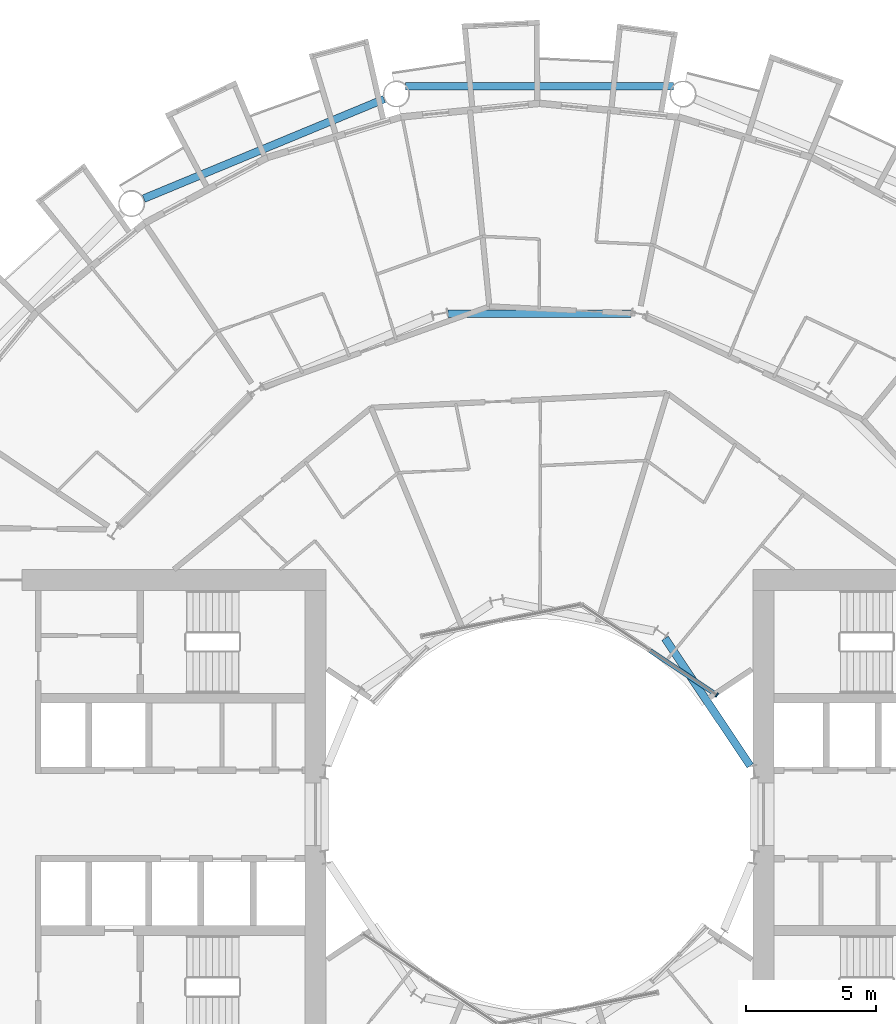
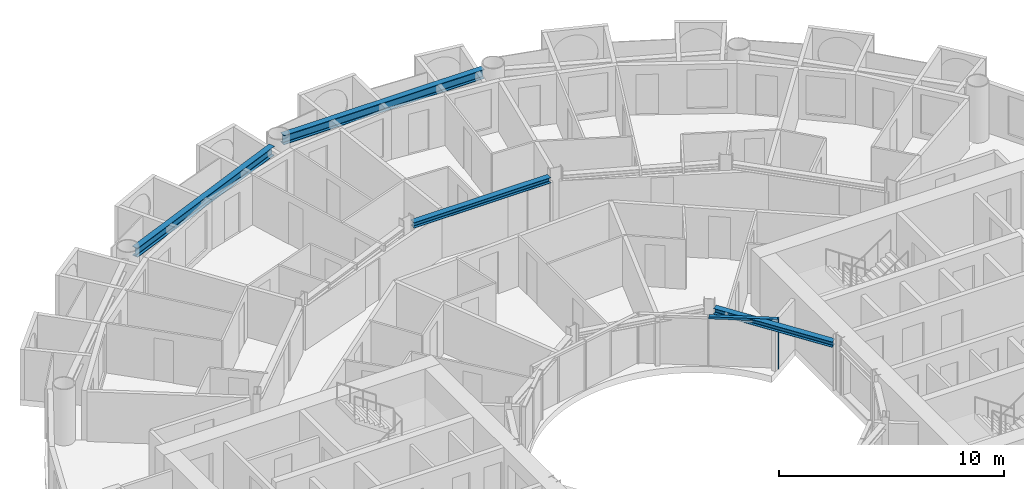
# One storey, part 8 of 25: 4 beams, 2 members, 1 element without a shape of its own.
"""IFC4 building model written with IfcOpenShell, lengths in metres."""

from ifc_helpers import new_model, si_unit, direction, frame, origin, origin_2d, place, context, subcontext, project, spatial, rectangle, i_section, extrude, material, layer, layer_set, material_profile, profile_set, type_object, element, aggregate, save


model = new_model("IFC4")

# Units and contexts
model_context = context("Model", 3, precision=1e-05, world=origin(), true_north=direction((0.0, 1.0)))
body_context = subcontext(model_context, "Body", "Model", "MODEL_VIEW")
ifc_project = project(units=[si_unit("LENGTHUNIT", "METRE"), si_unit("AREAUNIT", "SQUARE_METRE"), si_unit("VOLUMEUNIT", "CUBIC_METRE"), si_unit("PLANEANGLEUNIT", "RADIAN"), si_unit("MASSUNIT", "GRAM", prefix="KILO")], contexts=[model_context])

# Site, building, storey
site_placement = place(None, origin())
site = spatial("IfcSite", under=ifc_project, at=site_placement, CompositionType="ELEMENT")
building_placement = place(site_placement, origin())
building = spatial("IfcBuilding", under=site, at=building_placement, Name="Maasbend Ring Residences", CompositionType="ELEMENT")
storey_placement = place(building_placement, frame((0.0, 0.0, 41.10009765625)))
storey = spatial("IfcBuildingStorey", under=building, at=storey_placement, Name="L11", CompositionType="ELEMENT", Elevation=41.10009765625)

# Curtain wall, members
ifc_material_1 = material(Name="Aluminium and clear glass", Category="aluminium")
ifc_layer = layer(ifc_material_1, 0.179931640625)
ifc_layer_set = layer_set([ifc_layer], Name="CW-W")
curtain_wall_type = type_object("IfcCurtainWallType", Name="CW-W", PredefinedType="NOTDEFINED", material=ifc_layer_set)
curtain_wall_placement = place(storey_placement, origin())
curtain_wall = element("IfcCurtainWall", 1, at=curtain_wall_placement, inside=storey, type_object=curtain_wall_type, Name="Well curtain wall N1", PredefinedType="NOTDEFINED")
ifc_material_2 = material(Name="Aluminium 6063-T6", Category="aluminium")
ifc_material_profile_1 = material_profile(ifc_material_2, rectangle(XDim=0.179931640625, YDim=0.06005859375, at=origin_2d()), Name="AL 180x60")
ifc_profile_set_1 = profile_set([ifc_material_profile_1], Name="Aluminium 6063-T6")
member_type_1 = type_object("IfcMemberType", Name="CWM-W", PredefinedType="MULLION", material=ifc_profile_set_1)
member_1_placement = place(storey_placement, frame((6.805908203125, 4.580810546875, 0.0), z_axis=(0.0, 0.0, 1.0), x_axis=(-0.55557023302, -0.831469612303, 0.0)))
member_1 = element("IfcMember", 2, at=member_1_placement, type_object=member_type_1, Name="Mullion well face", PredefinedType="MULLION", context=body_context, shape_type="SweptSolid", body=[
    extrude(rectangle(XDim=0.179931640625, YDim=0.06005859375, at=origin_2d()), origin(), (0.0, 0.0, 1.0), 2.699951171875),
])
ifc_material_3 = material(Name="Aluminium 6063-T6", Category="aluminium")
ifc_material_profile_2 = material_profile(ifc_material_3, rectangle(XDim=0.179931640625, YDim=0.1201171875, at=origin_2d()), Name="AL 180x120")
ifc_profile_set_2 = profile_set([ifc_material_profile_2], Name="Aluminium 6063-T6")
member_type_2 = type_object("IfcMemberType", Name="CWT-W", PredefinedType="USERDEFINED", material=ifc_profile_set_2)
member_2_placement = place(storey_placement, frame((6.781005859375, 4.59765625, 2.639892578125), z_axis=(-0.831496422459, 0.555530106689, 0.0), x_axis=(-0.555530106689, -0.831496422459, 0.0)))
member_2 = element("IfcMember", 3, at=member_2_placement, type_object=member_type_2, Name="Transom well face", ObjectType="TRANSOM", PredefinedType="USERDEFINED", context=body_context, shape_type="SweptSolid", body=[
    extrude(rectangle(XDim=0.179931640625, YDim=0.1201171875, at=origin_2d()), origin(), (0.0, 0.0, 1.0), 3.053955078125),
])
aggregate(curtain_wall, [member_1, member_2])

# Beams
ifc_material_4 = material(Name="Steel S355J2", Category="steel")
ifc_material_profile_3 = material_profile(ifc_material_4, i_section(OverallWidth=0.300048828125, OverallDepth=0.300048828125, WebThickness=0.010986328125, FlangeThickness=0.01904296875, FilletRadius=0.027099609375, at=origin_2d()), Name="HEB 300")
ifc_profile_set_3 = profile_set([ifc_material_profile_3], Name="Steel S355J2")
beam_type_1 = type_object("IfcBeamType", Name="Corridor ring beam HEB 300", PredefinedType="BEAM", material=ifc_profile_set_3)
beam_1_placement = place(storey_placement, frame((3.5078125, 19.223388671875, 2.5498046875), z_axis=(-1.0, 0.0, 0.0), x_axis=(0.0, -1.0, 0.0)))
element("IfcBeam", 4, at=beam_1_placement, inside=storey, type_object=beam_type_1, Name="Corridor ring beam", PredefinedType="BEAM", context=body_context, shape_type="SweptSolid", body=[
    extrude(i_section(OverallWidth=0.300048828125, OverallDepth=0.300048828125, WebThickness=0.010986328125, FlangeThickness=0.01904296875, FilletRadius=0.027099609375, at=origin_2d()), origin(), (0.0, 0.0, 1.0), 7.015625),
])
ifc_material_5 = material(Name="Steel S355J2", Category="steel")
ifc_material_profile_4 = material_profile(ifc_material_5, i_section(OverallWidth=0.300048828125, OverallDepth=0.5, WebThickness=0.014404296875, FlangeThickness=0.028076171875, FilletRadius=0.027099609375, at=origin_2d()), Name="HEB 500")
ifc_profile_set_4 = profile_set([ifc_material_profile_4], Name="Steel S355J2")
beam_type_2 = type_object("IfcBeamType", Name="Spandrel ring beam HEB 500", PredefinedType="SPANDREL", material=ifc_profile_set_4)
beam_2_placement = place(storey_placement, frame((5.1435546875, 27.9580078125, 2.449951171875), z_axis=(-1.0, 0.0, 0.0), x_axis=(0.0, -1.0, 0.0)))
element("IfcBeam", 5, at=beam_2_placement, inside=storey, type_object=beam_type_2, Name="Spandrel ring beam", PredefinedType="SPANDREL", context=body_context, shape_type="SweptSolid", body=[
    extrude(i_section(OverallWidth=0.300048828125, OverallDepth=0.5, WebThickness=0.014404296875, FlangeThickness=0.028076171875, FilletRadius=0.027099609375, at=origin_2d()), origin(), (0.0, 0.0, 1.0), 10.287109375),
])
beam_3_placement = place(storey_placement, frame((-5.970703125, 27.463623046875, 2.449951171875), z_axis=(-0.923886337442, -0.382667003395, 0.0), x_axis=(0.382667003395, -0.923886337442, 0.0)))
element("IfcBeam", 6, at=beam_3_placement, inside=storey, type_object=beam_type_2, Name="Spandrel ring beam", PredefinedType="SPANDREL", context=body_context, shape_type="SweptSolid", body=[
    extrude(i_section(OverallWidth=0.300048828125, OverallDepth=0.5, WebThickness=0.014404296875, FlangeThickness=0.028076171875, FilletRadius=0.027099609375, at=origin_2d()), origin(), (0.0, 0.0, 1.0), 9.9873046875),
])
ifc_material_6 = material(Name="Steel S355J2", Category="steel")
ifc_material_profile_5 = material_profile(ifc_material_6, i_section(OverallWidth=0.300048828125, OverallDepth=0.300048828125, WebThickness=0.010986328125, FlangeThickness=0.01904296875, FilletRadius=0.027099609375, at=origin_2d()), Name="HEB 300")
ifc_profile_set_5 = profile_set([ifc_material_profile_5], Name="Steel S355J2")
beam_type_3 = type_object("IfcBeamType", Name="Well edge beam HEB 300", PredefinedType="BEAM", material=ifc_profile_set_5)
beam_4_placement = place(storey_placement, frame((8.08837890625, 1.86376953125, 2.5498046875), z_axis=(-0.555589782054, 0.831456549723, 0.0), x_axis=(-0.831456549723, -0.555589782054, 0.0)))
element("IfcBeam", 7, at=beam_4_placement, inside=storey, type_object=beam_type_3, Name="Well edge beam", PredefinedType="BEAM", context=body_context, shape_type="SweptSolid", body=[
    extrude(i_section(OverallWidth=0.300048828125, OverallDepth=0.300048828125, WebThickness=0.010986328125, FlangeThickness=0.01904296875, FilletRadius=0.027099609375, at=origin_2d()), origin(), (0.0, 0.0, 1.0), 5.887939453125),
])

save(model, "model.ifc")
